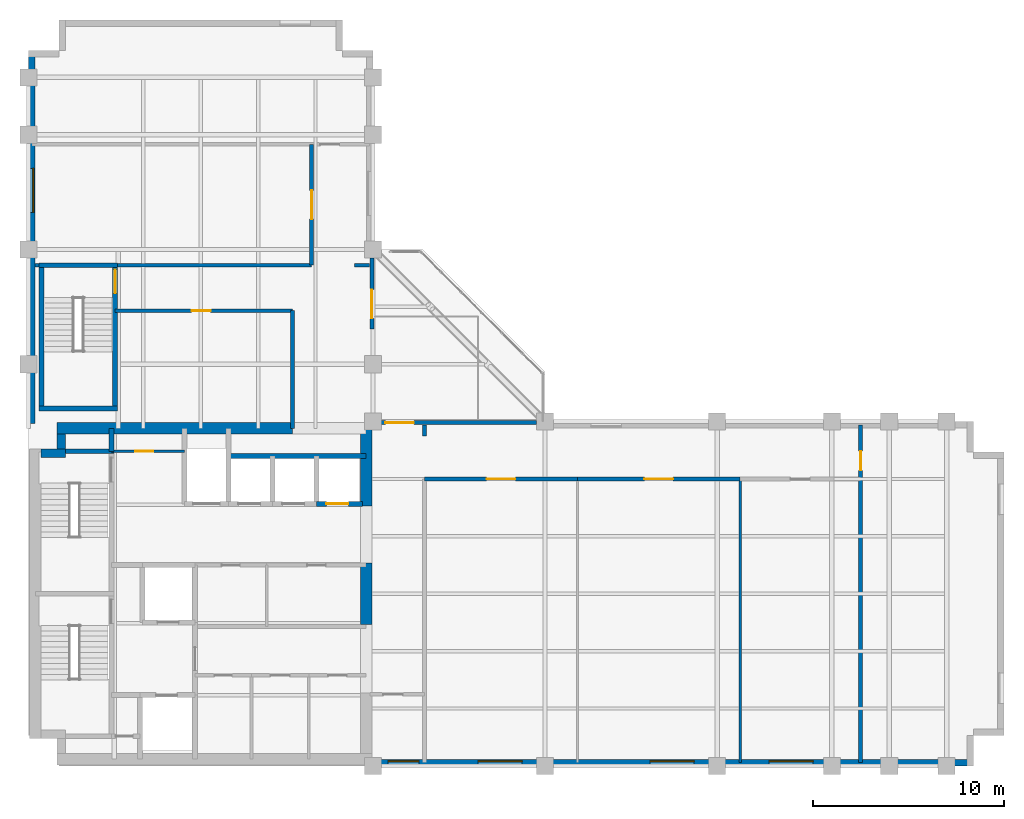
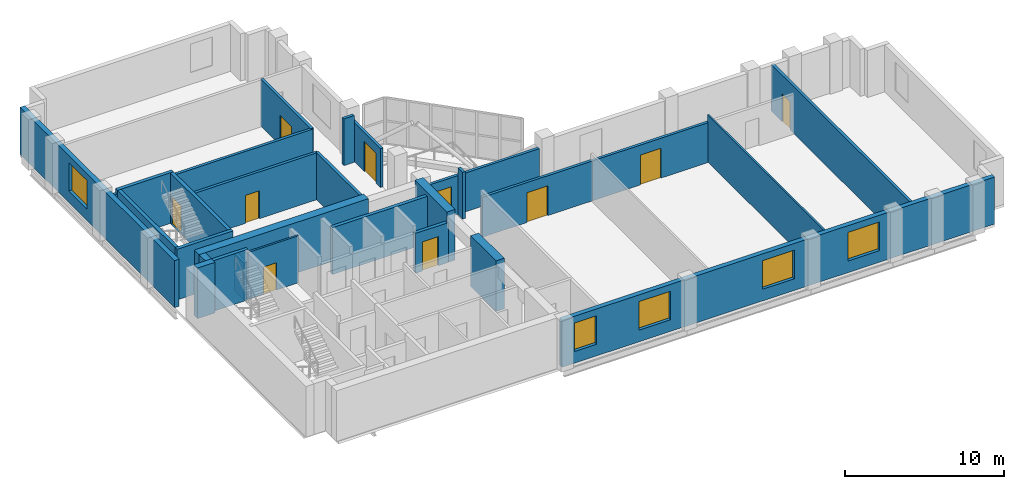
# One storey, part 6 of 9: 29 walls, 10 doors, 5 windows, 15 openings.
"""IFC4 building model written with IfcOpenShell, lengths in metres."""

from ifc_helpers import new_model, si_unit, direction, frame, frame_2d, origin, place, context, subcontext, project, spatial, rectangle, extrude, material, layer, layer_set, type_object, element, fill, save


model = new_model("IFC4")

# Units and contexts
model_context = context("Model", 3, precision=1e-05, world=origin(), true_north=direction((0.0, 1.0)))
body_context = subcontext(model_context, "Body", "Model", "MODEL_VIEW")
ifc_project = project(units=[si_unit("LENGTHUNIT", "METRE"), si_unit("AREAUNIT", "SQUARE_METRE"), si_unit("VOLUMEUNIT", "CUBIC_METRE"), si_unit("PLANEANGLEUNIT", "RADIAN"), si_unit("MASSUNIT", "GRAM", prefix="KILO")], contexts=[model_context])

# Site, building, storey
site_placement = place(None, origin())
site = spatial("IfcSite", under=ifc_project, at=site_placement, CompositionType="ELEMENT")
building_placement = place(site_placement, origin())
building = spatial("IfcBuilding", under=site, at=building_placement, Name="Mawjdan Bourse Tower", CompositionType="ELEMENT")
storey_placement = place(building_placement, frame((0.0, 0.0, 222.89990234375)))
storey = spatial("IfcBuildingStorey", under=building, at=storey_placement, Name="L54", CompositionType="ELEMENT", Elevation=222.89990234375)

# Wall, openings, windows
ifc_material_1 = material(Name="Brick Masonry Buff", Category="masonry")
ifc_layer_1 = layer(ifc_material_1, 0.340087890625)
ifc_layer_set_1 = layer_set([ifc_layer_1], Name="Brick Masonry Buff")
wall_type_1 = type_object("IfcWallType", Name="WL-BRK-SPN-340", PredefinedType="STANDARD", material=ifc_layer_set_1)
wall_1_placement = place(storey_placement, frame((23.89990234375, 3.169921875, 0.0), z_axis=(0.0, 0.0, 1.0), x_axis=(1.0, 0.0, 0.0)))
wall_1 = element("IfcWall", 1, at=wall_1_placement, inside=storey, type_object=wall_type_1, Name="L54 Exterior Brick Wall 1", PredefinedType="STANDARD", context=body_context, shape_type="SweptSolid", body=[
    extrude(rectangle(XDim=31.5, YDim=0.340087890625, at=frame_2d((15.75, 0.0))), origin(), (0.0, 0.0, 1.0), 3.6201171875),
])
opening_1_placement = place(wall_1_placement, frame((5.60009765625, 0.0, 0.89990234375)))
opening_1 = element("IfcOpeningElement", 2, at=opening_1_placement, cuts=wall_1, Name="Opening W-L54-01", PredefinedType="OPENING", context=body_context, shape_type="SweptSolid", body=[
    extrude(rectangle(XDim=2.300048828125, YDim=2.199951171875, at=frame_2d((1.14990234375, 1.10009765625))), frame((0.0, 0.18017578125, 0.0), z_axis=(0.0, -1.0, 0.0), x_axis=(1.0, 0.0, 0.0)), (0.0, 0.0, 1.0), 0.360107421875),
])
opening_2_placement = place(wall_1_placement, frame((14.60009765625, 0.0, 0.89990234375)))
opening_2 = element("IfcOpeningElement", 3, at=opening_2_placement, cuts=wall_1, Name="Opening W-L54-02", PredefinedType="OPENING", context=body_context, shape_type="SweptSolid", body=[
    extrude(rectangle(XDim=2.300048828125, YDim=2.199951171875, at=frame_2d((1.14990234375, 1.10009765625))), frame((0.0, 0.18017578125, 0.0), z_axis=(0.0, -1.0, 0.0), x_axis=(1.0, 0.0, 0.0)), (0.0, 0.0, 1.0), 0.360107421875),
])
opening_3_placement = place(wall_1_placement, frame((0.89990234375, 0.0, 0.89990234375)))
opening_3 = element("IfcOpeningElement", 4, at=opening_3_placement, cuts=wall_1, Name="Opening W-L54-09", PredefinedType="OPENING", context=body_context, shape_type="SweptSolid", body=[
    extrude(rectangle(XDim=1.60009765625, YDim=2.199951171875, at=frame_2d((0.800048828125, 1.10009765625))), frame((0.0, 0.18017578125, 0.0), z_axis=(0.0, -1.0, 0.0), x_axis=(1.0, 0.0, 0.0)), (0.0, 0.0, 1.0), 0.360107421875),
])
opening_4_placement = place(wall_1_placement, frame((20.82470703125, 0.0, 0.89990234375)))
opening_4 = element("IfcOpeningElement", 5, at=opening_4_placement, cuts=wall_1, Name="Opening W-L54-10", PredefinedType="OPENING", context=body_context, shape_type="SweptSolid", body=[
    extrude(rectangle(XDim=2.300048828125, YDim=2.199951171875, at=frame_2d((1.14990234375, 1.10009765625))), frame((0.0, 0.18017578125, 0.0), z_axis=(0.0, -1.0, 0.0), x_axis=(1.0, 0.0, 0.0)), (0.0, 0.0, 1.0), 0.360107421875),
])
ifc_material_2 = material(Name="Solar-Control Clear Double Glazing", Category="glass")
window_type_1 = type_object("IfcWindowType", Name="WN-Z3-1600", PartitioningType="SINGLE_PANEL", PredefinedType="WINDOW", material=ifc_material_2)
window_1_placement = place(opening_3_placement, origin())
window_1 = element("IfcWindow", 6, at=window_1_placement, inside=storey, type_object=window_type_1, Name="L54 Deep-Set Masonry Window W-L54-09", OverallHeight=2.199951171875, OverallWidth=1.60009765625, PartitioningType="SINGLE_PANEL", PredefinedType="WINDOW", context=body_context, shape_type="SweptSolid", body=[
    extrude(rectangle(XDim=1.60009765625, YDim=2.199951171875, at=frame_2d((0.800048828125, 1.10009765625))), frame((0.0, 0.110107421875, 0.0), z_axis=(0.0, -1.0, 0.0), x_axis=(1.0, 0.0, 0.0)), (0.0, 0.0, 1.0), 0.06005859375),
])
fill(opening_3, window_1)
window_type_2 = type_object("IfcWindowType", Name="WN-Z3-2300", PartitioningType="SINGLE_PANEL", PredefinedType="WINDOW", material=ifc_material_2)
window_2_placement = place(opening_1_placement, origin())
window_2 = element("IfcWindow", 7, at=window_2_placement, inside=storey, type_object=window_type_2, Name="L54 Deep-Set Masonry Window W-L54-01", OverallHeight=2.199951171875, OverallWidth=2.300048828125, PartitioningType="SINGLE_PANEL", PredefinedType="WINDOW", context=body_context, shape_type="SweptSolid", body=[
    extrude(rectangle(XDim=2.300048828125, YDim=2.199951171875, at=frame_2d((1.14990234375, 1.10009765625))), frame((0.0, 0.110107421875, 0.0), z_axis=(0.0, -1.0, 0.0), x_axis=(1.0, 0.0, 0.0)), (0.0, 0.0, 1.0), 0.06005859375),
])
fill(opening_1, window_2)
window_3_placement = place(opening_2_placement, origin())
window_3 = element("IfcWindow", 8, at=window_3_placement, inside=storey, type_object=window_type_2, Name="L54 Deep-Set Masonry Window W-L54-02", OverallHeight=2.199951171875, OverallWidth=2.300048828125, PartitioningType="SINGLE_PANEL", PredefinedType="WINDOW", context=body_context, shape_type="SweptSolid", body=[
    extrude(rectangle(XDim=2.300048828125, YDim=2.199951171875, at=frame_2d((1.14990234375, 1.10009765625))), frame((0.0, 0.110107421875, 0.0), z_axis=(0.0, -1.0, 0.0), x_axis=(1.0, 0.0, 0.0)), (0.0, 0.0, 1.0), 0.06005859375),
])
fill(opening_2, window_3)
window_4_placement = place(opening_4_placement, origin())
window_4 = element("IfcWindow", 9, at=window_4_placement, inside=storey, type_object=window_type_2, Name="L54 Deep-Set Masonry Window W-L54-10", OverallHeight=2.199951171875, OverallWidth=2.300048828125, PartitioningType="SINGLE_PANEL", PredefinedType="WINDOW", context=body_context, shape_type="SweptSolid", body=[
    extrude(rectangle(XDim=2.300048828125, YDim=2.199951171875, at=frame_2d((1.14990234375, 1.10009765625))), frame((0.0, 0.110107421875, 0.0), z_axis=(0.0, -1.0, 0.0), x_axis=(1.0, 0.0, 0.0)), (0.0, 0.0, 1.0), 0.06005859375),
])
fill(opening_4, window_4)

# Wall, opening, window
wall_2_placement = place(storey_placement, frame((6.169921875, 40.39990234375, 0.0), z_axis=(0.0, 0.0, 1.0), x_axis=(0.0, -1.0, 0.0)))
wall_2 = element("IfcWall", 10, at=wall_2_placement, inside=storey, type_object=wall_type_1, Name="L54 Exterior Brick Wall 14", PredefinedType="STANDARD", context=body_context, shape_type="SweptSolid", body=[
    extrude(rectangle(XDim=19.5, YDim=0.340087890625, at=frame_2d((9.75, 0.0))), origin(), (0.0, 0.0, 1.0), 3.6201171875),
])
opening_5_placement = place(wall_2_placement, frame((6.16259765625, 0.0, 0.89990234375)))
opening_5 = element("IfcOpeningElement", 11, at=opening_5_placement, cuts=wall_2, Name="Opening W-L54-08", PredefinedType="OPENING", context=body_context, shape_type="SweptSolid", body=[
    extrude(rectangle(XDim=2.300048828125, YDim=2.199951171875, at=frame_2d((1.14990234375, 1.10009765625))), frame((0.0, 0.18017578125, 0.0), z_axis=(0.0, -1.0, 0.0), x_axis=(1.0, 0.0, 0.0)), (0.0, 0.0, 1.0), 0.360107421875),
])
window_5_placement = place(opening_5_placement, origin())
window_5 = element("IfcWindow", 12, at=window_5_placement, inside=storey, type_object=window_type_2, Name="L54 Deep-Set Masonry Window W-L54-08", OverallHeight=2.199951171875, OverallWidth=2.300048828125, PartitioningType="SINGLE_PANEL", PredefinedType="WINDOW", context=body_context, shape_type="SweptSolid", body=[
    extrude(rectangle(XDim=2.300048828125, YDim=2.199951171875, at=frame_2d((1.14990234375, 1.10009765625))), frame((0.0, 0.110107421875, 0.0), z_axis=(0.0, -1.0, 0.0), x_axis=(1.0, 0.0, 0.0)), (0.0, 0.0, 1.0), 0.06005859375),
])
fill(opening_5, window_5)

# Wall, opening, door
ifc_material_3 = material(Name="Gypsum Fireboard Assembly")
ifc_layer_2 = layer(ifc_material_3, 0.199951171875)
ifc_layer_set_2 = layer_set([ifc_layer_2], Name="Gypsum Fireboard Assembly")
wall_type_2 = type_object("IfcWallType", Name="WL-CMP-200", PredefinedType="PARTITIONING", material=ifc_layer_set_2)
wall_3_placement = place(storey_placement, frame((23.949951171875, 25.85009765625, 0.0), z_axis=(0.0, 0.0, 1.0), x_axis=(0.0, 1.0, 0.0)))
wall_3 = element("IfcWall", 13, at=wall_3_placement, inside=storey, type_object=wall_type_2, Name="L54 Sky Bridge West Portal Wall", PredefinedType="PARTITIONING", context=body_context, shape_type="SweptSolid", body=[
    extrude(rectangle(XDim=3.699951171875, YDim=0.199951171875, at=frame_2d((1.85009765625, 0.0))), origin(), (0.0, 0.0, 1.0), 2.9931640625),
])
opening_6_placement = place(wall_3_placement, frame((0.550048828125, 0.0, 0.0)))
opening_6 = element("IfcOpeningElement", 14, at=opening_6_placement, cuts=wall_3, Name="Opening BD-L54-20", PredefinedType="OPENING", context=body_context, shape_type="SweptSolid", body=[
    extrude(rectangle(XDim=1.5, YDim=2.300048828125, at=frame_2d((0.75, 1.14990234375))), frame((0.0, 0.10986328125, 0.0), z_axis=(0.0, -1.0, 0.0), x_axis=(1.0, 0.0, 0.0)), (0.0, 0.0, 1.0), 0.219970703125),
])
ifc_material_4 = material(Name="Acoustic Glazed Timber", Category="wood")
door_type_1 = type_object("IfcDoorType", Name="DR-CNF-1500", OperationType="DOUBLE_DOOR_SINGLE_SWING", PredefinedType="DOOR", material=ifc_material_4)
door_1_placement = place(opening_6_placement, origin())
door_1 = element("IfcDoor", 15, at=door_1_placement, inside=storey, type_object=door_type_1, Name="L54 Sky Bridge West Portal Door BD-L54-20", OperationType="DOUBLE_DOOR_SINGLE_SWING", OverallHeight=2.300048828125, OverallWidth=1.5, PredefinedType="DOOR", context=body_context, shape_type="SweptSolid", body=[
    extrude(rectangle(XDim=1.5, YDim=2.300048828125, at=frame_2d((0.75, 1.14990234375))), frame((0.0, 0.02490234375, 0.0), z_axis=(0.0, -1.0, 0.0), x_axis=(1.0, 0.0, 0.0)), (0.0, 0.0, 1.0), 0.050048828125),
])
fill(opening_6, door_1)

wall_4_placement = place(storey_placement, frame((24.050048828125, 20.949951171875, 0.0), z_axis=(0.0, 0.0, 1.0), x_axis=(1.0, 0.0, 0.0)))
wall_4 = element("IfcWall", 16, at=wall_4_placement, inside=storey, type_object=wall_type_2, Name="L54 Sky Bridge South Portal Wall", PredefinedType="PARTITIONING", context=body_context, shape_type="SweptSolid", body=[
    extrude(rectangle(XDim=8.5, YDim=0.199951171875, at=frame_2d((4.25, 0.0))), origin(), (0.0, 0.0, 1.0), 2.9931640625),
])
opening_7_placement = place(wall_4_placement, frame((0.60009765625, 0.0, 0.0)))
opening_7 = element("IfcOpeningElement", 17, at=opening_7_placement, cuts=wall_4, Name="Opening BD-L54-21", PredefinedType="OPENING", context=body_context, shape_type="SweptSolid", body=[
    extrude(rectangle(XDim=1.5, YDim=2.300048828125, at=frame_2d((0.75, 1.14990234375))), frame((0.0, 0.10986328125, 0.0), z_axis=(0.0, -1.0, 0.0), x_axis=(1.0, 0.0, 0.0)), (0.0, 0.0, 1.0), 0.219970703125),
])
door_2_placement = place(opening_7_placement, origin())
door_2 = element("IfcDoor", 18, at=door_2_placement, inside=storey, type_object=door_type_1, Name="L54 Sky Bridge South Portal Door BD-L54-21", OperationType="DOUBLE_DOOR_SINGLE_SWING", OverallHeight=2.300048828125, OverallWidth=1.5, PredefinedType="DOOR", context=body_context, shape_type="SweptSolid", body=[
    extrude(rectangle(XDim=1.5, YDim=2.300048828125, at=frame_2d((0.75, 1.14990234375))), frame((0.0, 0.02490234375, 0.0), z_axis=(0.0, -1.0, 0.0), x_axis=(1.0, 0.0, 0.0)), (0.0, 0.0, 1.0), 0.050048828125),
])
fill(opening_7, door_2)

# Wall
wall_5_placement = place(storey_placement, frame((26.699951171875, 20.25, 0.0), z_axis=(0.0, 0.0, 1.0), x_axis=(0.0, 1.0, 0.0)))
element("IfcWall", 19, at=wall_5_placement, inside=storey, type_object=wall_type_2, Name="L54 Vestibule North East Wall", PredefinedType="PARTITIONING", context=body_context, shape_type="SweptSolid", body=[
    extrude(rectangle(XDim=0.570068359375, YDim=0.199951171875, at=frame_2d((0.28515625, 0.0))), origin(), (0.0, 0.0, 1.0), 3.610107421875),
])

# Wall, opening, door
wall_6_placement = place(storey_placement, frame((26.699951171875, 18.0, 0.0), z_axis=(0.0, 0.0, 1.0), x_axis=(1.0, 0.0, 0.0)))
wall_6 = element("IfcWall", 20, at=wall_6_placement, inside=storey, type_object=wall_type_2, Name="L54 Institutional Board Salon Corridor Wall", PredefinedType="PARTITIONING", context=body_context, shape_type="SweptSolid", body=[
    extrude(rectangle(XDim=8.0, YDim=0.199951171875, at=frame_2d((4.0, 0.0))), origin(), (0.0, 0.0, 1.0), 3.072998046875),
])
opening_8_placement = place(wall_6_placement, frame((3.25, 0.0, 0.0)))
opening_8 = element("IfcOpeningElement", 21, at=opening_8_placement, cuts=wall_6, Name="Opening D-L54-23", PredefinedType="OPENING", context=body_context, shape_type="SweptSolid", body=[
    extrude(rectangle(XDim=1.5, YDim=2.300048828125, at=frame_2d((0.75, 1.14990234375))), frame((0.0, 0.10986328125, 0.0), z_axis=(0.0, -1.0, 0.0), x_axis=(1.0, 0.0, 0.0)), (0.0, 0.0, 1.0), 0.219970703125),
])
door_3_placement = place(opening_8_placement, origin())
door_3 = element("IfcDoor", 22, at=door_3_placement, inside=storey, type_object=door_type_1, Name="L54 Institutional Board Salon Door D-L54-23", OperationType="DOUBLE_DOOR_SINGLE_SWING", OverallHeight=2.300048828125, OverallWidth=1.5, PredefinedType="DOOR", context=body_context, shape_type="SweptSolid", body=[
    extrude(rectangle(XDim=1.5, YDim=2.300048828125, at=frame_2d((0.75, 1.14990234375))), frame((0.0, 0.02490234375, 0.0), z_axis=(0.0, -1.0, 0.0), x_axis=(1.0, 0.0, 0.0)), (0.0, 0.0, 1.0), 0.050048828125),
])
fill(opening_8, door_3)

wall_7_placement = place(storey_placement, frame((34.699951171875, 18.0, 0.0), z_axis=(0.0, 0.0, 1.0), x_axis=(1.0, 0.0, 0.0)))
wall_7 = element("IfcWall", 23, at=wall_7_placement, inside=storey, type_object=wall_type_2, Name="L54 Conference Room Corridor Wall", PredefinedType="PARTITIONING", context=body_context, shape_type="SweptSolid", body=[
    extrude(rectangle(XDim=8.5, YDim=0.199951171875, at=frame_2d((4.25, 0.0))), origin(), (0.0, 0.0, 1.0), 3.072998046875),
])
opening_9_placement = place(wall_7_placement, frame((3.5, 0.0, 0.0)))
opening_9 = element("IfcOpeningElement", 24, at=opening_9_placement, cuts=wall_7, Name="Opening D-L54-24", PredefinedType="OPENING", context=body_context, shape_type="SweptSolid", body=[
    extrude(rectangle(XDim=1.5, YDim=2.300048828125, at=frame_2d((0.75, 1.14990234375))), frame((0.0, 0.10986328125, 0.0), z_axis=(0.0, -1.0, 0.0), x_axis=(1.0, 0.0, 0.0)), (0.0, 0.0, 1.0), 0.219970703125),
])
door_4_placement = place(opening_9_placement, origin())
door_4 = element("IfcDoor", 25, at=door_4_placement, inside=storey, type_object=door_type_1, Name="L54 Conference Room Door D-L54-24", OperationType="DOUBLE_DOOR_SINGLE_SWING", OverallHeight=2.300048828125, OverallWidth=1.5, PredefinedType="DOOR", context=body_context, shape_type="SweptSolid", body=[
    extrude(rectangle(XDim=1.5, YDim=2.300048828125, at=frame_2d((0.75, 1.14990234375))), frame((0.0, 0.02490234375, 0.0), z_axis=(0.0, -1.0, 0.0), x_axis=(1.0, 0.0, 0.0)), (0.0, 0.0, 1.0), 0.050048828125),
])
fill(opening_9, door_4)

wall_8_placement = place(storey_placement, frame((49.5, 3.179931640625, 0.0), z_axis=(0.0, 0.0, 1.0), x_axis=(0.0, 1.0, 0.0)))
wall_8 = element("IfcWall", 26, at=wall_8_placement, inside=storey, type_object=wall_type_2, Name="L54 East Tip Full Cross Wall", PredefinedType="PARTITIONING", context=body_context, shape_type="SweptSolid", body=[
    extrude(rectangle(XDim=17.64013671875, YDim=0.199951171875, at=frame_2d((8.820068359375, 0.0))), origin(), (0.0, 0.0, 1.0), 3.610107421875),
])
opening_10_placement = place(wall_8_placement, frame((15.27490234375, 0.0, 0.0)))
opening_10 = element("IfcOpeningElement", 27, at=opening_10_placement, cuts=wall_8, Name="Opening D-L54-26", PredefinedType="OPENING", context=body_context, shape_type="SweptSolid", body=[
    extrude(rectangle(XDim=1.0, YDim=2.14990234375, at=frame_2d((0.5, 1.074951171875))), frame((0.0, 0.10986328125, 0.0), z_axis=(0.0, -1.0, 0.0), x_axis=(1.0, 0.0, 0.0)), (0.0, 0.0, 1.0), 0.219970703125),
])
ifc_material_5 = material(Name="Hardwood Acoustic Leaf", Category="wood")
door_type_2 = type_object("IfcDoorType", Name="DR-OFC-1000", OperationType="NOTDEFINED", PredefinedType="DOOR", material=ifc_material_5)
door_5_placement = place(opening_10_placement, origin())
door_5 = element("IfcDoor", 28, at=door_5_placement, inside=storey, type_object=door_type_2, Name="L54 East Tip Hall Door D-L54-26", OperationType="SINGLE_SWING_RIGHT", OverallHeight=2.14990234375, OverallWidth=1.0, PredefinedType="DOOR", context=body_context, shape_type="SweptSolid", body=[
    extrude(rectangle(XDim=1.0, YDim=2.14990234375, at=frame_2d((0.5, 1.074951171875))), frame((0.0, 0.02490234375, 0.0), z_axis=(0.0, -1.0, 0.0), x_axis=(1.0, 0.0, 0.0)), (0.0, 0.0, 1.0), 0.050048828125),
])
fill(opening_10, door_5)

wall_9_placement = place(storey_placement, frame((10.52001953125, 26.800048828125, 0.0), z_axis=(0.0, 0.0, 1.0), x_axis=(1.0, 0.0, 0.0)))
wall_9 = element("IfcWall", 29, at=wall_9_placement, inside=storey, type_object=wall_type_2, Name="L54 North Throat North Wall", PredefinedType="PARTITIONING", context=body_context, shape_type="SweptSolid", body=[
    extrude(rectangle(XDim=9.280029296875, YDim=0.199951171875, at=frame_2d((4.64013671875, 0.0))), origin(), (0.0, 0.0, 1.0), 3.610107421875),
])
opening_11_placement = place(wall_9_placement, frame((4.0, 0.0, 0.0)))
opening_11 = element("IfcOpeningElement", 30, at=opening_11_placement, cuts=wall_9, Name="Opening D-L54-27", PredefinedType="OPENING", context=body_context, shape_type="SweptSolid", body=[
    extrude(rectangle(XDim=1.0, YDim=2.14990234375, at=frame_2d((0.5, 1.074951171875))), frame((0.0, 0.10986328125, 0.0), z_axis=(0.0, -1.0, 0.0), x_axis=(1.0, 0.0, 0.0)), (0.0, 0.0, 1.0), 0.219970703125),
])
door_6_placement = place(opening_11_placement, origin())
door_6 = element("IfcDoor", 31, at=door_6_placement, inside=storey, type_object=door_type_2, Name="L54 North Throat Suite Door D-L54-27", OperationType="SINGLE_SWING_LEFT", OverallHeight=2.14990234375, OverallWidth=1.0, PredefinedType="DOOR", context=body_context, shape_type="SweptSolid", body=[
    extrude(rectangle(XDim=1.0, YDim=2.14990234375, at=frame_2d((0.5, 1.074951171875))), frame((0.0, 0.02490234375, 0.0), z_axis=(0.0, -1.0, 0.0), x_axis=(1.0, 0.0, 0.0)), (0.0, 0.0, 1.0), 0.050048828125),
])
fill(opening_11, door_6)

# Walls
wall_10_placement = place(storey_placement, frame((19.800048828125, 20.64990234375, 0.0), z_axis=(0.0, 0.0, 1.0), x_axis=(0.0, 1.0, 0.0)))
element("IfcWall", 32, at=wall_10_placement, inside=storey, type_object=wall_type_2, Name="L54 North Throat East Wall", PredefinedType="PARTITIONING", context=body_context, shape_type="SweptSolid", body=[
    extrude(rectangle(XDim=6.150146484375, YDim=0.199951171875, at=frame_2d((3.0751953125, 0.0))), origin(), (0.0, 0.0, 1.0), 3.610107421875),
])
wall_11_placement = place(storey_placement, frame((6.340087890625, 29.179931640625, 0.0), z_axis=(0.0, 0.0, 1.0), x_axis=(1.0, 0.0, 0.0)))
element("IfcWall", 33, at=wall_11_placement, inside=storey, type_object=wall_type_2, Name="L54 North West Band ST3 West Return", PredefinedType="PARTITIONING", context=body_context, shape_type="SweptSolid", body=[
    extrude(rectangle(XDim=0.21484375, YDim=0.199951171875, at=frame_2d((0.107421875, 0.0))), origin(), (0.0, 0.0, 1.0), 3.610107421875),
])
wall_12_placement = place(storey_placement, frame((10.6298828125, 29.179931640625, 0.0), z_axis=(0.0, 0.0, 1.0), x_axis=(1.0, 0.0, 0.0)))
element("IfcWall", 34, at=wall_12_placement, inside=storey, type_object=wall_type_2, Name="L54 North West Band South Wall", PredefinedType="PARTITIONING", context=body_context, shape_type="SweptSolid", body=[
    extrude(rectangle(XDim=10.170166015625, YDim=0.199951171875, at=frame_2d((5.0849609375, 0.0))), origin(), (0.0, 0.0, 1.0), 3.610107421875),
])
wall_13_placement = place(storey_placement, frame((23.050048828125, 29.179931640625, 0.0), z_axis=(0.0, 0.0, 1.0), x_axis=(1.0, 0.0, 0.0)))
element("IfcWall", 35, at=wall_13_placement, inside=storey, type_object=wall_type_2, Name="L54 North East Band South Wall", PredefinedType="PARTITIONING", context=body_context, shape_type="SweptSolid", body=[
    extrude(rectangle(XDim=0.77001953125, YDim=0.199951171875, at=frame_2d((0.385009765625, 0.0))), origin(), (0.0, 0.0, 1.0), 3.610107421875),
])

# Wall, opening, door
wall_14_placement = place(storey_placement, frame((20.800048828125, 29.179931640625, 0.0), z_axis=(0.0, 0.0, 1.0), x_axis=(0.0, 1.0, 0.0)))
wall_14 = element("IfcWall", 36, at=wall_14_placement, inside=storey, type_object=wall_type_2, Name="L54 Conference Room Corridor Wall", PredefinedType="PARTITIONING", context=body_context, shape_type="SweptSolid", body=[
    extrude(rectangle(XDim=6.320068359375, YDim=0.199951171875, at=frame_2d((3.16015625, 0.0))), origin(), (0.0, 0.0, 1.0), 3.610107421875),
])
opening_12_placement = place(wall_14_placement, frame((2.409912109375, 0.0, 0.0)))
opening_12 = element("IfcOpeningElement", 37, at=opening_12_placement, cuts=wall_14, Name="Opening D-L54-28", PredefinedType="OPENING", context=body_context, shape_type="SweptSolid", body=[
    extrude(rectangle(XDim=1.5, YDim=2.300048828125, at=frame_2d((0.75, 1.14990234375))), frame((0.0, 0.10986328125, 0.0), z_axis=(0.0, -1.0, 0.0), x_axis=(1.0, 0.0, 0.0)), (0.0, 0.0, 1.0), 0.219970703125),
])
door_7_placement = place(opening_12_placement, origin())
door_7 = element("IfcDoor", 38, at=door_7_placement, inside=storey, type_object=door_type_1, Name="L54 Conference Room Door D-L54-28", OperationType="DOUBLE_DOOR_SINGLE_SWING", OverallHeight=2.300048828125, OverallWidth=1.5, PredefinedType="DOOR", context=body_context, shape_type="SweptSolid", body=[
    extrude(rectangle(XDim=1.5, YDim=2.300048828125, at=frame_2d((0.75, 1.14990234375))), frame((0.0, 0.02490234375, 0.0), z_axis=(0.0, -1.0, 0.0), x_axis=(1.0, 0.0, 0.0)), (0.0, 0.0, 1.0), 0.050048828125),
])
fill(opening_12, door_7)

# Walls
ifc_material_6 = material(Name="Concrete C60/75", Category="concrete")
ifc_layer_3 = layer(ifc_material_6, 0.449951171875)
ifc_layer_set_3 = layer_set([ifc_layer_3], Name="Concrete C60/75")
wall_type_3 = type_object("IfcWallType", Name="WL-CORE-450", PredefinedType="SHEAR", material=ifc_layer_set_3)
wall_15_placement = place(storey_placement, frame((6.64990234375, 19.35009765625, 0.0), z_axis=(0.0, 0.0, 1.0), x_axis=(1.0, 0.0, 0.0)))
element("IfcWall", 39, at=wall_15_placement, inside=storey, type_object=wall_type_3, Name="L54 Rear Core Shear Wall NW-X", PredefinedType="SHEAR", context=body_context, shape_type="SweptSolid", body=[
    extrude(rectangle(XDim=1.275146484375, YDim=0.449951171875, at=frame_2d((0.6376953125, 0.0))), origin(), (0.0, 0.0, 1.0), 3.900146484375),
])
wall_16_placement = place(storey_placement, frame((7.699951171875, 19.574951171875, 0.0), z_axis=(0.0, 0.0, 1.0), x_axis=(0.0, 1.0, 0.0)))
element("IfcWall", 40, at=wall_16_placement, inside=storey, type_object=wall_type_3, Name="L54 Rear Core Shear Wall NW-Y", PredefinedType="SHEAR", context=body_context, shape_type="SweptSolid", body=[
    extrude(rectangle(XDim=0.775146484375, YDim=0.449951171875, at=frame_2d((0.3876953125, 0.0))), origin(), (0.0, 0.0, 1.0), 3.900146484375),
])
ifc_material_7 = material(Name="Concrete C70/85", Category="concrete")
ifc_layer_4 = layer(ifc_material_7, 0.60009765625)
ifc_layer_set_4 = layer_set([ifc_layer_4], Name="Concrete C70/85")
wall_type_4 = type_object("IfcWallType", Name="WL-CORE-600", PredefinedType="SHEAR", material=ifc_layer_set_4)
wall_17_placement = place(storey_placement, frame((7.47509765625, 20.64990234375, 0.0), z_axis=(0.0, 0.0, 1.0), x_axis=(1.0, 0.0, 0.0)))
element("IfcWall", 41, at=wall_17_placement, inside=storey, type_object=wall_type_4, Name="L54 Rear Core Shear Wall N", PredefinedType="SHEAR", context=body_context, shape_type="SweptSolid", body=[
    extrude(rectangle(XDim=12.324951171875, YDim=0.60009765625, at=frame_2d((6.16259765625, 0.0))), origin(), (0.0, 0.0, 1.0), 3.900146484375),
])
wall_18_placement = place(storey_placement, frame((23.64990234375, 10.39990234375, 0.0), z_axis=(0.0, 0.0, 1.0), x_axis=(0.0, 1.0, 0.0)))
element("IfcWall", 42, at=wall_18_placement, inside=storey, type_object=wall_type_4, Name="L54 Rear Core Shear Wall E2", PredefinedType="SHEAR", context=body_context, shape_type="SweptSolid", body=[
    extrude(rectangle(XDim=3.2001953125, YDim=0.60009765625, at=frame_2d((1.60009765625, 0.0))), origin(), (0.0, 0.0, 1.0), 3.900146484375),
])
wall_19_placement = place(storey_placement, frame((23.64990234375, 16.60009765625, 0.0), z_axis=(0.0, 0.0, 1.0), x_axis=(0.0, 1.0, 0.0)))
element("IfcWall", 43, at=wall_19_placement, inside=storey, type_object=wall_type_4, Name="L54 Rear Core Shear Wall E3", PredefinedType="SHEAR", context=body_context, shape_type="SweptSolid", body=[
    extrude(rectangle(XDim=4.0498046875, YDim=0.60009765625, at=frame_2d((2.02490234375, 0.0))), origin(), (0.0, 0.0, 1.0), 3.900146484375),
])
ifc_material_8 = material(Name="Gypsum Partition")
ifc_layer_5 = layer(ifc_material_8, 0.125)
ifc_layer_set_5 = layer_set([ifc_layer_5], Name="Gypsum Partition")
wall_type_5 = type_object("IfcWallType", Name="WL-PRT-125", PredefinedType="PARTITIONING", material=ifc_layer_set_5)
wall_20_placement = place(storey_placement, frame((43.199951171875, 3.179931640625, 0.0), z_axis=(0.0, 0.0, 1.0), x_axis=(0.0, 1.0, 0.0)))
element("IfcWall", 44, at=wall_20_placement, inside=storey, type_object=wall_type_5, Name="L54 Executive Office Partition", PredefinedType="PARTITIONING", context=body_context, shape_type="SweptSolid", body=[
    extrude(rectangle(XDim=14.820068359375, YDim=0.125, at=frame_2d((7.41015625, 0.0))), origin(), (0.0, 0.0, 1.0), 3.610107421875),
])

# Wall, opening, door
ifc_material_9 = material(Name="Gypsum Acoustic Partition")
ifc_layer_6 = layer(ifc_material_9, 0.14990234375)
ifc_layer_set_6 = layer_set([ifc_layer_6], Name="Gypsum Acoustic Partition")
wall_type_6 = type_object("IfcWallType", Name="WL-PRT-150", PredefinedType="PARTITIONING", material=ifc_layer_set_6)
wall_21_placement = place(storey_placement, frame((10.330078125, 19.449951171875, 0.0), z_axis=(0.0, 0.0, 1.0), x_axis=(1.0, 0.0, 0.0)))
wall_21 = element("IfcWall", 45, at=wall_21_placement, inside=storey, type_object=wall_type_6, Name="L54 Housekeeping South Wall", PredefinedType="PARTITIONING", context=body_context, shape_type="SweptSolid", body=[
    extrude(rectangle(XDim=3.81982421875, YDim=0.14990234375, at=frame_2d((1.909912109375, 0.0))), origin(), (0.0, 0.0, 1.0), 3.610107421875),
])
opening_13_placement = place(wall_21_placement, frame((1.25, 0.0, 0.0)))
opening_13 = element("IfcOpeningElement", 46, at=opening_13_placement, cuts=wall_21, Name="Opening D-L54-18", PredefinedType="OPENING", context=body_context, shape_type="SweptSolid", body=[
    extrude(rectangle(XDim=0.949951171875, YDim=2.10009765625, at=frame_2d((0.47509765625, 1.050048828125))), frame((0.0, 0.0849609375, 0.0), z_axis=(0.0, -1.0, 0.0), x_axis=(1.0, 0.0, 0.0)), (0.0, 0.0, 1.0), 0.169921875),
])
ifc_material_10 = material(Name="Moisture-Resistant Laminate Timber", Category="wood")
door_type_3 = type_object("IfcDoorType", Name="DR-WET-0950", OperationType="NOTDEFINED", PredefinedType="DOOR", material=ifc_material_10)
door_8_placement = place(opening_13_placement, origin())
door_8 = element("IfcDoor", 47, at=door_8_placement, inside=storey, type_object=door_type_3, Name="L54 Housekeeping Closet Door D-L54-18", OperationType="SINGLE_SWING_RIGHT", OverallHeight=2.10009765625, OverallWidth=0.949951171875, PredefinedType="DOOR", context=body_context, shape_type="SweptSolid", body=[
    extrude(rectangle(XDim=0.949951171875, YDim=2.10009765625, at=frame_2d((0.47509765625, 1.050048828125))), frame((0.0, 0.02490234375, 0.0), z_axis=(0.0, -1.0, 0.0), x_axis=(1.0, 0.0, 0.0)), (0.0, 0.0, 1.0), 0.050048828125),
])
fill(opening_13, door_8)

# Wall
ifc_material_11 = material(Name="Concrete C50/60", Category="concrete")
ifc_layer_7 = layer(ifc_material_11, 0.25)
ifc_layer_set_7 = layer_set([ifc_layer_7], Name="Concrete C50/60")
wall_type_7 = type_object("IfcWallType", Name="WL-SHFT-250", PredefinedType="PARTITIONING", material=ifc_layer_set_7)
wall_22_placement = place(storey_placement, frame((10.330078125, 19.449951171875, 0.0), z_axis=(0.0, 0.0, 1.0), x_axis=(0.0, 1.0, 0.0)))
element("IfcWall", 48, at=wall_22_placement, inside=storey, type_object=wall_type_7, Name="L54 NW Riser East Wall", PredefinedType="PARTITIONING", context=body_context, shape_type="SweptSolid", body=[
    extrude(rectangle(XDim=1.199951171875, YDim=0.25, at=frame_2d((0.60009765625, 0.0))), origin(), (0.0, 0.0, 1.0), 2.837158203125),
])

# Wall, opening, door
wall_23_placement = place(storey_placement, frame((21.050048828125, 16.699951171875, 0.0), z_axis=(0.0, 0.0, 1.0), x_axis=(1.0, 0.0, 0.0)))
wall_23 = element("IfcWall", 49, at=wall_23_placement, inside=storey, type_object=wall_type_7, Name="L54 PH-03 Front Wall", PredefinedType="PARTITIONING", context=body_context, shape_type="SweptSolid", body=[
    extrude(rectangle(XDim=2.39990234375, YDim=0.25, at=frame_2d((1.199951171875, 0.0))), origin(), (0.0, 0.0, 1.0), 3.072998046875),
])
opening_14_placement = place(wall_23_placement, frame((0.52001953125, 0.0, 0.0)))
opening_14 = element("IfcOpeningElement", 50, at=opening_14_placement, cuts=wall_23, Name="Opening LD-L54-12", PredefinedType="OPENING", context=body_context, shape_type="SweptSolid", body=[
    extrude(rectangle(XDim=1.14990234375, YDim=2.25, at=frame_2d((0.574951171875, 1.125))), frame((0.0, 0.135009765625, 0.0), z_axis=(0.0, -1.0, 0.0), x_axis=(1.0, 0.0, 0.0)), (0.0, 0.0, 1.0), 0.27001953125),
])
ifc_material_12 = material(Name="Brushed Stainless Steel", Category="steel")
door_type_4 = type_object("IfcDoorType", Name="LD-PAS-1150", OperationType="DOUBLE_DOOR_SLIDING", PredefinedType="DOOR", material=ifc_material_12)
door_9_placement = place(opening_14_placement, origin())
door_9 = element("IfcDoor", 51, at=door_9_placement, inside=storey, type_object=door_type_4, Name="L54 Lift PH-03 Landing Door LD-L54-12", OperationType="DOUBLE_DOOR_SLIDING", OverallHeight=2.25, OverallWidth=1.14990234375, PredefinedType="DOOR", context=body_context, shape_type="SweptSolid", body=[
    extrude(rectangle(XDim=1.14990234375, YDim=2.25, at=frame_2d((0.574951171875, 1.125))), frame((0.0, 0.02490234375, 0.0), z_axis=(0.0, -1.0, 0.0), x_axis=(1.0, 0.0, 0.0)), (0.0, 0.0, 1.0), 0.050048828125),
])
fill(opening_14, door_9)

# Walls
wall_24_placement = place(storey_placement, frame((16.449951171875, 19.199951171875, 0.0), z_axis=(0.0, 0.0, 1.0), x_axis=(1.0, 0.0, 0.0)))
element("IfcWall", 52, at=wall_24_placement, inside=storey, type_object=wall_type_7, Name="L54 PH Bank North Shaft Back Wall", PredefinedType="PARTITIONING", context=body_context, shape_type="SweptSolid", body=[
    extrude(rectangle(XDim=7.199951171875, YDim=0.25, at=frame_2d((3.60009765625, 0.0))), origin(), (0.0, 0.0, 1.0), 3.610107421875),
])
ifc_layer_8 = layer(ifc_material_11, 0.25)
ifc_layer_set_8 = layer_set([ifc_layer_8], Name="Concrete C50/60")
wall_type_8 = type_object("IfcWallType", Name="WL-STRW-250", PredefinedType="SHEAR", material=ifc_layer_set_8)
wall_25_placement = place(storey_placement, frame((7.699951171875, 19.449951171875, 0.0), z_axis=(0.0, 0.0, 1.0), x_axis=(1.0, 0.0, 0.0)))
element("IfcWall", 53, at=wall_25_placement, inside=storey, type_object=wall_type_8, Name="L54 Stairwell ST2 North Shaft Wall", PredefinedType="SHEAR", context=body_context, shape_type="SweptSolid", body=[
    extrude(rectangle(XDim=2.755126953125, YDim=0.25, at=frame_2d((1.37744140625, 0.0))), origin(), (0.0, 0.0, 1.0), 3.900146484375),
])
for number, where, z_axis, x_axis, name in (
    (54, (6.554931640625, 21.679931640625, 0.0), (0.0, 0.0, 1.0), (1.0, 0.0, 0.0), "L54 ST3 South Shaft Wall"),
    (55, (6.554931640625, 29.179931640625, 0.0), (0.0, 0.0, 1.0), (1.0, 0.0, 0.0), "L54 ST3 North Shaft Wall"),
):
    element("IfcWall", number, at=place(storey_placement, frame(where, z_axis=z_axis, x_axis=x_axis)), inside=storey, type_object=wall_type_8, Name=name, PredefinedType="SHEAR", context=body_context, shape_type="SweptSolid", body=[
        extrude(rectangle(XDim=4.090087890625, YDim=0.25, at=frame_2d((2.044921875, 0.0))), origin(), (0.0, 0.0, 1.0), 3.900146484375),
    ])
wall_26_placement = place(storey_placement, frame((6.679931640625, 21.679931640625, 0.0), z_axis=(0.0, 0.0, 1.0), x_axis=(0.0, 1.0, 0.0)))
element("IfcWall", 56, at=wall_26_placement, inside=storey, type_object=wall_type_8, Name="L54 ST3 West Shaft Wall", PredefinedType="SHEAR", context=body_context, shape_type="SweptSolid", body=[
    extrude(rectangle(XDim=7.5, YDim=0.25, at=frame_2d((3.75, 0.0))), origin(), (0.0, 0.0, 1.0), 3.900146484375),
])

# Wall, opening, door
wall_27_placement = place(storey_placement, frame((10.52001953125, 21.679931640625, 0.0), z_axis=(0.0, 0.0, 1.0), x_axis=(0.0, 1.0, 0.0)))
wall_27 = element("IfcWall", 57, at=wall_27_placement, inside=storey, type_object=wall_type_8, Name="L54 ST3 East Shaft Wall", PredefinedType="SHEAR", context=body_context, shape_type="SweptSolid", body=[
    extrude(rectangle(XDim=7.5, YDim=0.25, at=frame_2d((3.75, 0.0))), origin(), (0.0, 0.0, 1.0), 3.900146484375),
])
opening_15_placement = place(wall_27_placement, frame((6.02001953125, 0.0, 0.0)))
opening_15 = element("IfcOpeningElement", 58, at=opening_15_placement, cuts=wall_27, Name="Opening SD-L54-19", PredefinedType="OPENING", context=body_context, shape_type="SweptSolid", body=[
    extrude(rectangle(XDim=1.25, YDim=2.199951171875, at=frame_2d((0.625, 1.10009765625))), frame((0.0, 0.135009765625, 0.0), z_axis=(0.0, -1.0, 0.0), x_axis=(1.0, 0.0, 0.0)), (0.0, 0.0, 1.0), 0.27001953125),
])
ifc_material_13 = material(Name="Fire-Rated Steel Leaf", Category="steel")
door_type_5 = type_object("IfcDoorType", Name="FD-ST-1250", OperationType="NOTDEFINED", PredefinedType="DOOR", material=ifc_material_13)
door_10_placement = place(opening_15_placement, origin())
door_10 = element("IfcDoor", 59, at=door_10_placement, inside=storey, type_object=door_type_5, Name="L54 Stair ST3 Fire Door SD-L54-19", OperationType="SINGLE_SWING_LEFT", OverallHeight=2.199951171875, OverallWidth=1.25, PredefinedType="DOOR", context=body_context, shape_type="SweptSolid", body=[
    extrude(rectangle(XDim=1.25, YDim=2.199951171875, at=frame_2d((0.625, 1.10009765625))), frame((0.0, 0.02490234375, 0.0), z_axis=(0.0, -1.0, 0.0), x_axis=(1.0, 0.0, 0.0)), (0.0, 0.0, 1.0), 0.050048828125),
])
fill(opening_15, door_10)

save(model, "model.ifc")
